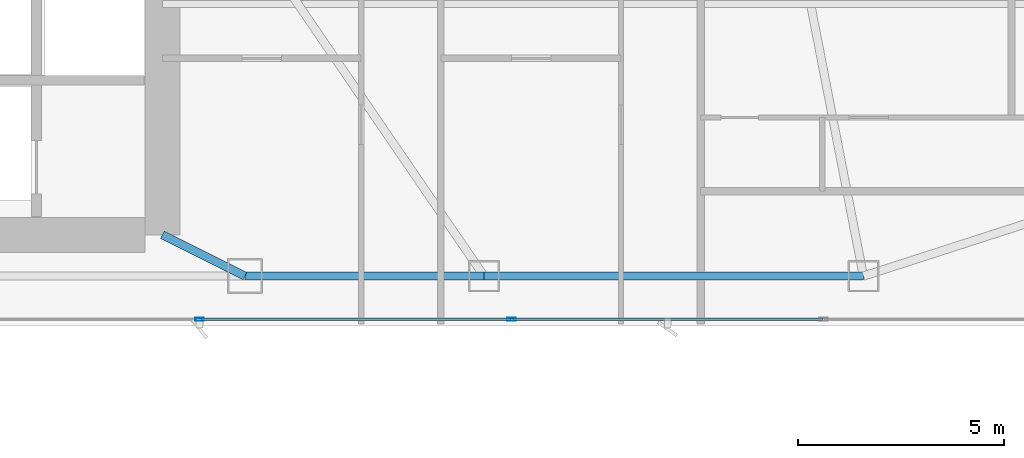
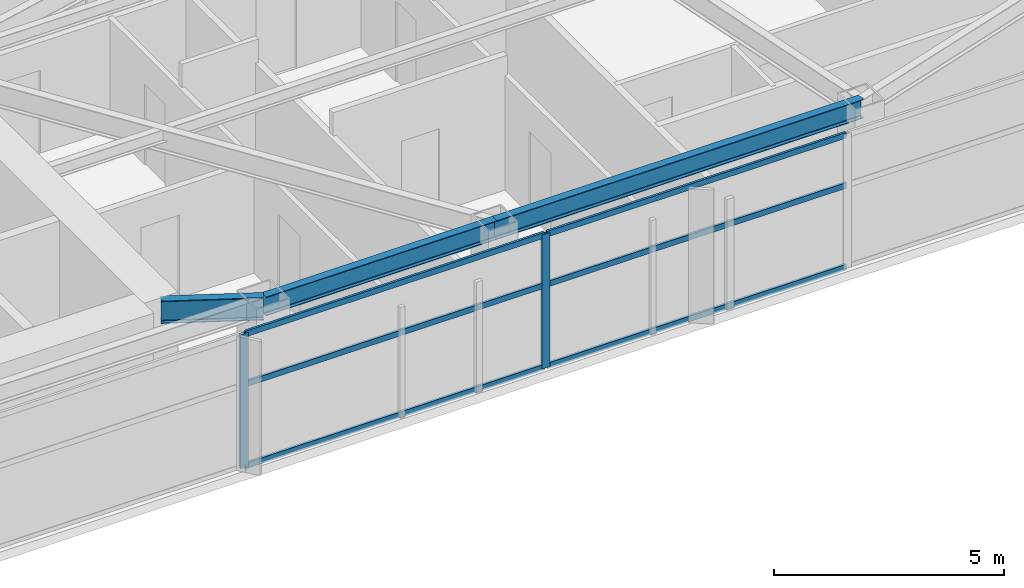
# One storey, part 12 of 28: 8 members, 3 beams, 1 element without a shape of its own.
"""IFC4 building model written with IfcOpenShell, lengths in metres."""

from ifc_helpers import new_model, si_unit, direction, frame, origin, origin_2d, place, context, subcontext, project, spatial, hollow_rectangle, i_section, extrude, material, layer, layer_set, material_profile, profile_set, type_object, element, aggregate, save


model = new_model("IFC4")

# Units and contexts
model_context = context("Model", 3, precision=1e-05, world=origin(), true_north=direction((0.0, 1.0)))
body_context = subcontext(model_context, "Body", "Model", "MODEL_VIEW")
ifc_project = project(units=[si_unit("LENGTHUNIT", "METRE"), si_unit("AREAUNIT", "SQUARE_METRE"), si_unit("VOLUMEUNIT", "CUBIC_METRE"), si_unit("PLANEANGLEUNIT", "RADIAN"), si_unit("MASSUNIT", "GRAM", prefix="KILO")], contexts=[model_context])

# Site, building, storey
site_placement = place(None, origin())
site = spatial("IfcSite", under=ifc_project, at=site_placement, CompositionType="ELEMENT")
building_placement = place(site_placement, origin())
building = spatial("IfcBuilding", under=site, at=building_placement, Name="Calvorn Quay Hotel", CompositionType="ELEMENT")
storey_placement = place(building_placement, frame((0.0, 0.0, 159.89990234375)))
storey = spatial("IfcBuildingStorey", under=building, at=storey_placement, Name="L39", CompositionType="ELEMENT", Elevation=159.89990234375)

# Beams
ifc_material_1 = material(Name="Steel Q355B", Category="steel")
ifc_material_profile_1 = material_profile(ifc_material_1, i_section(OverallWidth=0.199951171875, OverallDepth=0.60009765625, WebThickness=0.010986328125, FlangeThickness=0.01708984375, FilletRadius=0.01806640625, at=origin_2d()), Name="HN600x200x11x17")
ifc_profile_set_1 = profile_set([ifc_material_profile_1], Name="Steel Q355B")
beam_type_1 = type_object("IfcBeamType", Name="BM-GIRD-TYP", PredefinedType="BEAM", material=ifc_profile_set_1)
beam_1_placement = place(storey_placement, frame((34.39990234375, 3.60009765625, 3.239990234375), z_axis=(-0.894427191, 0.4472135955, 0.0), x_axis=(-0.4472135955, -0.894427191, 0.0)))
element("IfcBeam", 1, at=beam_1_placement, inside=storey, type_object=beam_type_1, Name="Beam BG-L39-S3", PredefinedType="BEAM", context=body_context, shape_type="SweptSolid", body=[
    extrude(i_section(OverallWidth=0.199951171875, OverallDepth=0.60009765625, WebThickness=0.010986328125, FlangeThickness=0.01708984375, FilletRadius=0.01806640625, at=origin_2d()), origin(), (0.0, 0.0, 1.0), 2.236083984375),
])
ifc_material_2 = material(Name="Steel Q355B", Category="steel")
ifc_material_profile_2 = material_profile(ifc_material_2, i_section(OverallWidth=0.199951171875, OverallDepth=0.5, WebThickness=0.010009765625, FlangeThickness=0.01611328125, FilletRadius=0.01611328125, at=origin_2d()), Name="HN500x200x10x16")
ifc_profile_set_2 = profile_set([ifc_material_profile_2], Name="Steel Q355B")
beam_type_2 = type_object("IfcBeamType", Name="BM-SPANDREL-Z1", PredefinedType="SPANDREL", material=ifc_profile_set_2)
beam_2_placement = place(storey_placement, frame((34.39990234375, 3.60009765625, 3.2900390625), z_axis=(1.0, 0.0, 0.0), x_axis=(0.0, 1.0, 0.0)))
element("IfcBeam", 2, at=beam_2_placement, inside=storey, type_object=beam_type_2, Name="Beam BSP-L39-S4", PredefinedType="SPANDREL", context=body_context, shape_type="SweptSolid", body=[
    extrude(i_section(OverallWidth=0.199951171875, OverallDepth=0.5, WebThickness=0.010009765625, FlangeThickness=0.01611328125, FilletRadius=0.01611328125, at=origin_2d()), origin(), (0.0, 0.0, 1.0), 5.800048828125),
])
beam_3_placement = place(storey_placement, frame((40.199951171875, 3.60009765625, 3.2900390625), z_axis=(1.0, 0.0, 0.0), x_axis=(0.0, 1.0, 0.0)))
element("IfcBeam", 3, at=beam_3_placement, inside=storey, type_object=beam_type_2, Name="Beam BSP-L39-S5", PredefinedType="SPANDREL", context=body_context, shape_type="SweptSolid", body=[
    extrude(i_section(OverallWidth=0.199951171875, OverallDepth=0.5, WebThickness=0.010009765625, FlangeThickness=0.01611328125, FilletRadius=0.01611328125, at=origin_2d()), origin(), (0.0, 0.0, 1.0), 9.199951171875),
])

# Curtain wall, members
ifc_material_3 = material(Name="Pale Anodised Aluminium and Low-E Glass", Category="aluminium")
ifc_layer = layer(ifc_material_3, 0.219970703125)
ifc_layer_set = layer_set([ifc_layer], Name="CW-SYS-Z2")
curtain_wall_type = type_object("IfcCurtainWallType", Name="CW-SYS-Z2", PredefinedType="NOTDEFINED", material=ifc_layer_set)
curtain_wall_placement = place(storey_placement, origin())
curtain_wall = element("IfcCurtainWall", 4, at=curtain_wall_placement, inside=storey, type_object=curtain_wall_type, Name="Tower South Waterfront Curtain Wall (L39)", PredefinedType="NOTDEFINED")
ifc_material_4 = material(Name="Pale Anodised Aluminium 6063-T6", Category="aluminium")
ifc_material_profile_3 = material_profile(ifc_material_4, hollow_rectangle(XDim=0.070068359375, YDim=0.199951171875, WallThickness=0.00390625, at=origin_2d()), Name="ALU-M200x70x4")
ifc_profile_set_3 = profile_set([ifc_material_profile_3], Name="Pale Anodised Aluminium 6063-T6")
member_type_1 = type_object("IfcMemberType", Name="CW-SYS-Z2-MUL", PredefinedType="MULLION", material=ifc_profile_set_3)
member_1_placement = place(storey_placement, frame((33.300048828125, 2.550048828125, 0.0), z_axis=(0.0, 0.0, 1.0), x_axis=(0.0, 1.0, 0.0)))
member_1 = element("IfcMember", 5, at=member_1_placement, type_object=member_type_1, Name="CW-L39-S mullion 4", PredefinedType="MULLION", context=body_context, shape_type="SweptSolid", body=[
    extrude(hollow_rectangle(XDim=0.070068359375, YDim=0.199951171875, WallThickness=0.00390625, at=origin_2d()), origin(), (0.0, 0.0, 1.0), 3.56005859375),
])
member_2_placement = place(storey_placement, frame((40.86669921875, 2.550048828125, 0.0), z_axis=(0.0, 0.0, 1.0), x_axis=(0.0, 1.0, 0.0)))
member_2 = element("IfcMember", 6, at=member_2_placement, type_object=member_type_1, Name="CW-L39-S mullion 5", PredefinedType="MULLION", context=body_context, shape_type="SweptSolid", body=[
    extrude(hollow_rectangle(XDim=0.070068359375, YDim=0.199951171875, WallThickness=0.00390625, at=origin_2d()), origin(), (0.0, 0.0, 1.0), 3.56005859375),
])
ifc_material_5 = material(Name="Pale Anodised Aluminium 6063-T6", Category="aluminium")
ifc_material_profile_4 = material_profile(ifc_material_5, hollow_rectangle(XDim=0.06005859375, YDim=0.14990234375, WallThickness=0.00341796875, at=origin_2d()), Name="ALU-T150x60x3.5")
ifc_profile_set_4 = profile_set([ifc_material_profile_4], Name="Pale Anodised Aluminium 6063-T6")
member_type_2 = type_object("IfcMemberType", Name="CW-SYS-Z2-TRN", PredefinedType="USERDEFINED", material=ifc_profile_set_4)
member_3_placement = place(storey_placement, frame((33.330078125, 2.550048828125, 0.030029296875), z_axis=(1.0, 0.0, 0.0), x_axis=(0.0, 1.0, 0.0)))
member_3 = element("IfcMember", 7, at=member_3_placement, type_object=member_type_2, Name="CW-L39-S transom 4.1", ObjectType="TRANSOM", PredefinedType="USERDEFINED", context=body_context, shape_type="SweptSolid", body=[
    extrude(hollow_rectangle(XDim=0.06005859375, YDim=0.14990234375, WallThickness=0.00341796875, at=origin_2d()), origin(), (0.0, 0.0, 1.0), 7.506591796875),
])
member_4_placement = place(storey_placement, frame((33.330078125, 2.550048828125, 2.2001953125), z_axis=(1.0, 0.0, 0.0), x_axis=(0.0, 1.0, 0.0)))
member_4 = element("IfcMember", 8, at=member_4_placement, type_object=member_type_2, Name="CW-L39-S transom 4.2", ObjectType="TRANSOM", PredefinedType="USERDEFINED", context=body_context, shape_type="SweptSolid", body=[
    extrude(hollow_rectangle(XDim=0.06005859375, YDim=0.14990234375, WallThickness=0.00341796875, at=origin_2d()), origin(), (0.0, 0.0, 1.0), 7.506591796875),
])
member_5_placement = place(storey_placement, frame((33.330078125, 2.550048828125, 3.530029296875), z_axis=(1.0, 0.0, 0.0), x_axis=(0.0, 1.0, 0.0)))
member_5 = element("IfcMember", 9, at=member_5_placement, type_object=member_type_2, Name="CW-L39-S transom 4.3", ObjectType="TRANSOM", PredefinedType="USERDEFINED", context=body_context, shape_type="SweptSolid", body=[
    extrude(hollow_rectangle(XDim=0.06005859375, YDim=0.14990234375, WallThickness=0.00341796875, at=origin_2d()), origin(), (0.0, 0.0, 1.0), 7.506591796875),
])
member_6_placement = place(storey_placement, frame((40.896728515625, 2.550048828125, 0.030029296875), z_axis=(1.0, 0.0, 0.0), x_axis=(0.0, 1.0, 0.0)))
member_6 = element("IfcMember", 10, at=member_6_placement, type_object=member_type_2, Name="CW-L39-S transom 5.1", ObjectType="TRANSOM", PredefinedType="USERDEFINED", context=body_context, shape_type="SweptSolid", body=[
    extrude(hollow_rectangle(XDim=0.06005859375, YDim=0.14990234375, WallThickness=0.00341796875, at=origin_2d()), origin(), (0.0, 0.0, 1.0), 7.506591796875),
])
member_7_placement = place(storey_placement, frame((40.896728515625, 2.550048828125, 2.2001953125), z_axis=(1.0, 0.0, 0.0), x_axis=(0.0, 1.0, 0.0)))
member_7 = element("IfcMember", 11, at=member_7_placement, type_object=member_type_2, Name="CW-L39-S transom 5.2", ObjectType="TRANSOM", PredefinedType="USERDEFINED", context=body_context, shape_type="SweptSolid", body=[
    extrude(hollow_rectangle(XDim=0.06005859375, YDim=0.14990234375, WallThickness=0.00341796875, at=origin_2d()), origin(), (0.0, 0.0, 1.0), 7.506591796875),
])
member_8_placement = place(storey_placement, frame((40.896728515625, 2.550048828125, 3.530029296875), z_axis=(1.0, 0.0, 0.0), x_axis=(0.0, 1.0, 0.0)))
member_8 = element("IfcMember", 12, at=member_8_placement, type_object=member_type_2, Name="CW-L39-S transom 5.3", ObjectType="TRANSOM", PredefinedType="USERDEFINED", context=body_context, shape_type="SweptSolid", body=[
    extrude(hollow_rectangle(XDim=0.06005859375, YDim=0.14990234375, WallThickness=0.00341796875, at=origin_2d()), origin(), (0.0, 0.0, 1.0), 7.506591796875),
])
aggregate(curtain_wall, [member_1, member_2, member_3, member_4, member_5, member_6, member_7, member_8])

save(model, "model.ifc")
